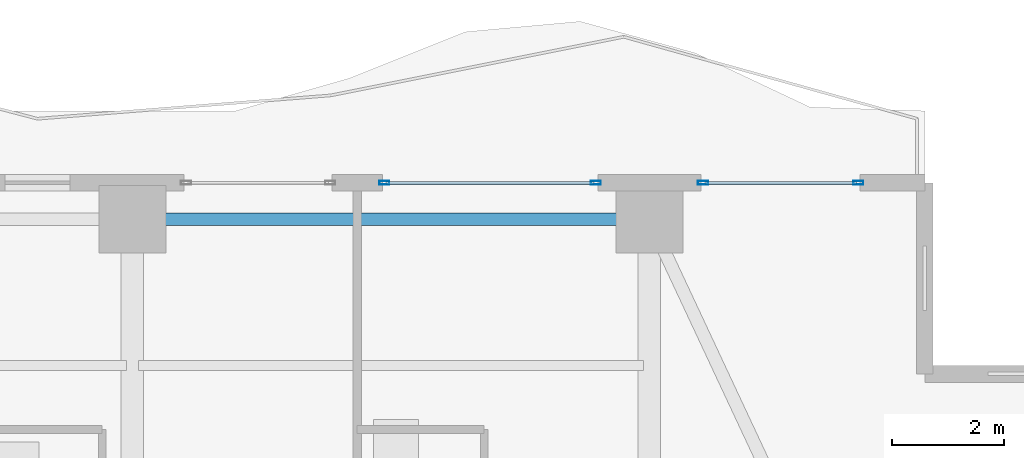
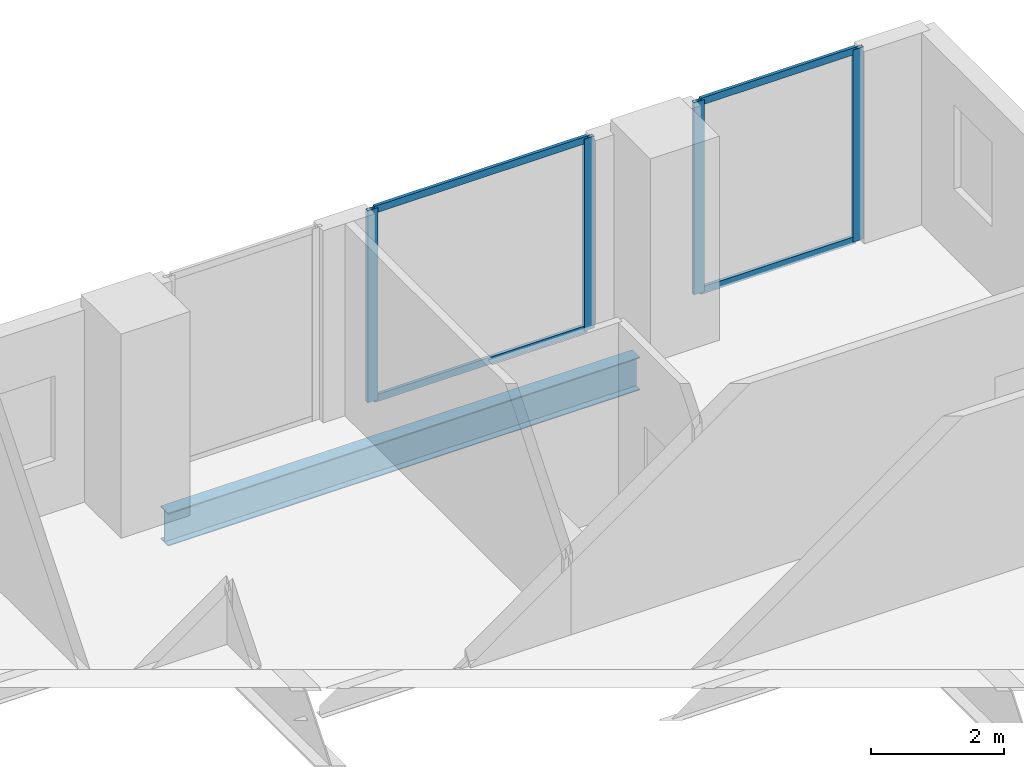
# One storey, part 22 of 32: 8 members, 1 beam, 2 elements without a shape of their own.
"""IFC4 building model written with IfcOpenShell, lengths in metres."""

import ifcopenshell
import ifcopenshell.guid

model = None  # the IFC model being written
_history = None  # IfcOwnerHistory: only IFC2X3 demands one
_inside = {}  # id of a spatial element -> (the spatial element, [elements in it])
_under = {}  # id of a project, library or spatial element -> (it, [spatial elements below it])
_declared = {}  # id of a project -> (the project, [libraries it declares])
_typed = {}  # id of a type object -> (the type object, [elements of that type])
_made_of = {}  # id of a material, layer set ... -> (it, [elements and type objects made of it])


def new_model(schema):
    """Start an empty IFC model of exactly this schema.

    Asked for "IFC4X3", IfcOpenShell would pick the latest addendum, in which some entities
    have other attributes; the version numbers below select the first issue.
    IFC2X3 requires an IfcOwnerHistory on every rooted entity: one is made here for all.
    """
    global model, _history
    if schema == "IFC4X3":
        model = ifcopenshell.file(schema_version=(4, 3, 0, 0))
    else:
        model = ifcopenshell.file(schema=schema)
    _inside.clear()
    _under.clear()
    _declared.clear()
    _typed.clear()
    _made_of.clear()
    _history = None
    if model.schema == "IFC2X3":
        org = make("IfcOrganization", Name="unknown")
        user = make(
            "IfcPersonAndOrganization",
            ThePerson=make("IfcPerson", FamilyName="unknown"),
            TheOrganization=org,
        )
        app = make(
            "IfcApplication",
            ApplicationDeveloper=org,
            Version="unknown",
            ApplicationFullName="unknown",
            ApplicationIdentifier="unknown",
        )
        _history = make(
            "IfcOwnerHistory",
            OwningUser=user,
            OwningApplication=app,
            ChangeAction="ADDED",
            CreationDate=0,
        )
    return model


def make(cls, **values):
    """One entity of the class cls with the attributes given. An attribute that is None is left unset."""
    return model.create_entity(
        cls, **{name: value for name, value in values.items() if value is not None}
    )


def rooted(cls, **values):
    """An entity with a GlobalId (a new one), such as an element, a storey or a relation."""
    return make(cls, GlobalId=ifcopenshell.guid.new(), OwnerHistory=_history, **values)


def si_unit(unit_type, name, prefix=None):
    """IfcSIUnit, for example si_unit("LENGTHUNIT", "METRE", prefix="MILLI")."""
    return make("IfcSIUnit", UnitType=unit_type, Prefix=prefix, Name=name)


def assignment(units):
    """IfcUnitAssignment: the units of a project."""
    return None if units is None else make("IfcUnitAssignment", Units=units)


def point(xyz):
    """IfcCartesianPoint."""
    return None if xyz is None else make("IfcCartesianPoint", Coordinates=xyz)


def direction(xyz):
    """IfcDirection."""
    return None if xyz is None else make("IfcDirection", DirectionRatios=xyz)


def frame(location, z_axis=None, x_axis=None):
    """IfcAxis2Placement3D, a coordinate frame: its origin and axes. An axis left out is left unset."""
    return make(
        "IfcAxis2Placement3D",
        Location=point(location),
        Axis=direction(z_axis),
        RefDirection=direction(x_axis),
    )


def frame_2d(location, x_axis=None):
    """IfcAxis2Placement2D, a coordinate frame in the plane: its origin and x axis."""
    return make(
        "IfcAxis2Placement2D", Location=point(location), RefDirection=direction(x_axis)
    )


def origin():
    """The frame at (0, 0, 0) with its axes left unset."""
    return frame((0.0, 0.0, 0.0))


def origin_2d():
    """The frame at (0, 0) in the plane with its x axis left unset."""
    return frame_2d((0.0, 0.0))


def place(relative_to, where):
    """IfcLocalPlacement: puts the frame where relative to a parent placement (None: the world)."""
    return make(
        "IfcLocalPlacement", PlacementRelTo=relative_to, RelativePlacement=where
    )


def context(
    kind, dimensions, precision=None, world=None, true_north=None, identifier=None
):
    """IfcGeometricRepresentationContext, for example the 3D "Model" context."""
    return make(
        "IfcGeometricRepresentationContext",
        ContextIdentifier=identifier,
        ContextType=kind,
        CoordinateSpaceDimension=dimensions,
        Precision=precision,
        WorldCoordinateSystem=world,
        TrueNorth=true_north,
    )


def subcontext(parent, identifier, kind, view, scale=None):
    """IfcGeometricRepresentationSubContext, for example "Body" below "Model"."""
    return make(
        "IfcGeometricRepresentationSubContext",
        ContextIdentifier=identifier,
        ContextType=kind,
        ParentContext=parent,
        TargetScale=scale,
        TargetView=view,
    )


def project(units=None, contexts=None):
    """IfcProject with its units and contexts."""
    return rooted(
        "IfcProject",
        Name="project",
        RepresentationContexts=contexts,
        UnitsInContext=assignment(units),
    )


def spatial(cls, under=None, at=None, **own):
    """A site, building, storey or space (cls), placed at a placement, below another one or the project."""
    s = rooted(cls, ObjectPlacement=at, **own)
    if under is not None:
        _under.setdefault(under.id(), (under, []))[1].append(s)
    return s


def profile(cls, at=None, kind="AREA", **sizes):
    """A parametric profile (cls). Its sizes go by their IFC names, for example OverallWidth=200.0."""
    return make(cls, ProfileType=kind, Position=at, **sizes)


def hollow_rectangle(**sizes):
    """IfcRectangleHollowProfileDef."""
    return profile("IfcRectangleHollowProfileDef", **sizes)


def i_section(**sizes):
    """IfcIShapeProfileDef."""
    return profile("IfcIShapeProfileDef", **sizes)


def extrude(swept, where, along, depth):
    """IfcExtrudedAreaSolid: the profile swept, set in the frame where, extruded along a direction by depth."""
    return make(
        "IfcExtrudedAreaSolid",
        SweptArea=swept,
        Position=where,
        ExtrudedDirection=direction(along),
        Depth=depth,
    )


def shape(context_of_items, identifier, shape_type, items):
    """IfcShapeRepresentation: the items that make up one representation, for example the "Body"."""
    return make(
        "IfcShapeRepresentation",
        ContextOfItems=context_of_items,
        RepresentationIdentifier=identifier,
        RepresentationType=shape_type,
        Items=items,
    )


def material(Name=None, Category=None):
    """IfcMaterial."""
    return make("IfcMaterial", Name=Name, Category=Category)


def layer(
    of_material, thickness, ventilated=None, Name=None, Category=None, Priority=None
):
    """IfcMaterialLayer: one layer of a wall or slab, of a material (None: an air gap)."""
    return make(
        "IfcMaterialLayer",
        Material=of_material,
        LayerThickness=thickness,
        IsVentilated=ventilated,
        Name=Name,
        Category=Category,
        Priority=Priority,
    )


def layer_set(layers, Name=None):
    """IfcMaterialLayerSet."""
    return make("IfcMaterialLayerSet", MaterialLayers=layers, LayerSetName=Name)


def material_profile(
    of_material, cross_section, Name=None, Category=None, Priority=None
):
    """IfcMaterialProfile: a cross section and its material."""
    return make(
        "IfcMaterialProfile",
        Name=Name,
        Material=of_material,
        Profile=cross_section,
        Priority=Priority,
        Category=Category,
    )


def profile_set(profiles, Name=None, composite=None):
    """IfcMaterialProfileSet."""
    return make(
        "IfcMaterialProfileSet",
        Name=Name,
        MaterialProfiles=profiles,
        CompositeProfile=composite,
    )


def made_of(thing, what):
    """Note that an element or type object is made of a material, layer set ...; save() writes the relation."""
    if what is not None:
        _made_of.setdefault(what.id(), (what, []))[1].append(thing)
    return thing


def type_object(cls, material=None, **own):
    """A type object (cls), such as IfcWallType, which elements share."""
    return made_of(rooted(cls, **own), material)


def element(
    cls,
    number,
    at=None,
    inside=None,
    cuts=None,
    type_object=None,
    material=None,
    context=None,
    identifier="Body",
    shape_type=None,
    held_by="IfcProductDefinitionShape",
    body=None,
    shapes=None,
    **own,
):
    """One element of the class cls, such as IfcWall. Its Tag is "e" and its number.

    at: its placement. inside: the storey or other place that contains it. cuts: it is an
    opening in that element (IfcRelVoidsElement). A single representation is given by context,
    identifier, shape_type and body (its items); several are given by shapes. held_by: the class
    of the entity that holds the representations. save() writes the other relations.
    """
    e = rooted(cls, Tag="e%d" % number, ObjectPlacement=at, **own)
    if body is not None:
        shapes = [shape(context, identifier, shape_type, body)]
    if shapes is not None:
        e.Representation = make(held_by, Representations=shapes)
    if inside is not None:
        _inside.setdefault(inside.id(), (inside, []))[1].append(e)
    if cuts is not None:
        rooted(
            "IfcRelVoidsElement", RelatingBuildingElement=cuts, RelatedOpeningElement=e
        )
    if type_object is not None:
        _typed.setdefault(type_object.id(), (type_object, []))[1].append(e)
    return made_of(e, material)


def aggregate(whole, parts):
    """IfcRelAggregates: a whole, such as a stair, and the parts it consists of."""
    return rooted("IfcRelAggregates", RelatingObject=whole, RelatedObjects=parts)


def save(model, path):
    """Write the relations noted so far, then the file.

    IfcRelAggregates (storeys below a building ...), IfcRelContainedInSpatialStructure (elements
    in a storey), IfcRelDefinesByType, IfcRelAssociatesMaterial and IfcRelDeclares: one each for
    every whole, place, type object, material and project.
    """
    for whole, parts in _under.values():
        aggregate(whole, parts)
    for where, things in _inside.values():
        rooted(
            "IfcRelContainedInSpatialStructure",
            RelatedElements=things,
            RelatingStructure=where,
        )
    for kind, things in _typed.values():
        rooted("IfcRelDefinesByType", RelatedObjects=things, RelatingType=kind)
    for what, things in _made_of.values():
        rooted("IfcRelAssociatesMaterial", RelatedObjects=things, RelatingMaterial=what)
    for by, libraries in _declared.values():
        rooted("IfcRelDeclares", RelatingContext=by, RelatedDefinitions=libraries)
    model.write(path)


model = new_model("IFC4")

# Units and contexts
model_context = context("Model", 3, precision=1e-05, world=origin(), true_north=direction((0.0, 1.0)))
body_context = subcontext(model_context, "Body", "Model", "MODEL_VIEW")
ifc_project = project(units=[si_unit("LENGTHUNIT", "METRE"), si_unit("AREAUNIT", "SQUARE_METRE"), si_unit("VOLUMEUNIT", "CUBIC_METRE"), si_unit("PLANEANGLEUNIT", "RADIAN"), si_unit("MASSUNIT", "GRAM", prefix="KILO")], contexts=[model_context])

# Site, building, storey
site_placement = place(None, origin())
site = spatial("IfcSite", under=ifc_project, at=site_placement, CompositionType="ELEMENT")
building_placement = place(site_placement, origin())
building = spatial("IfcBuilding", under=site, at=building_placement, Name="Zuhayl Quay Hotel", CompositionType="ELEMENT")
storey_placement = place(building_placement, frame((0.0, 0.0, 184.89990234375)))
storey = spatial("IfcBuildingStorey", under=building, at=storey_placement, Name="L46", CompositionType="ELEMENT", Elevation=184.89990234375)

# Beam
ifc_material_1 = material(Name="Steel ASTM A992 Grade 50", Category="steel")
ifc_material_profile_1 = material_profile(ifc_material_1, i_section(OverallWidth=0.22802734375, OverallDepth=0.60693359375, WebThickness=0.01123046875, FlangeThickness=0.017333984375, at=origin_2d()), Name="W24X76")
ifc_profile_set_1 = profile_set([ifc_material_profile_1], Name="Steel ASTM A992 Grade 50")
beam_type = type_object("IfcBeamType", Name="BM_B3_W24X76", PredefinedType="BEAM", material=ifc_profile_set_1)
beam_placement = place(storey_placement, frame((13.300048828125, 32.949951171875, -0.5234375), z_axis=(-1.0, 0.0, 0.0), x_axis=(0.0, -1.0, 0.0)))
element("IfcBeam", 1, at=beam_placement, inside=storey, type_object=beam_type, Name="L46 Floor Beam RG_L46_07", PredefinedType="BEAM", context=body_context, shape_type="SweptSolid", body=[
    extrude(i_section(OverallWidth=0.22802734375, OverallDepth=0.60693359375, WebThickness=0.01123046875, FlangeThickness=0.017333984375, at=origin_2d()), origin(), (0.0, 0.0, 1.0), 8.199951171875),
])

# Curtain wall, members
ifc_material_2 = material(Name="Anodised Aluminium 6063-T6", Category="aluminium")
ifc_layer = layer(ifc_material_2, 0.175048828125, Name="Anodised Aluminium 6063-T6", Category="aluminium")
ifc_layer_set = layer_set([ifc_layer], Name="Anodised Aluminium 6063-T6")
curtain_wall_type = type_object("IfcCurtainWallType", Name="CW_SYS_Z3", PredefinedType="USERDEFINED", material=ifc_layer_set)
curtain_wall_1_placement = place(storey_placement, origin())
curtain_wall_1 = element("IfcCurtainWall", 2, at=curtain_wall_1_placement, inside=storey, type_object=curtain_wall_type, Name="L46 Curtain Wall ENV_L46_N_CW4", ObjectType="UNITISED CURTAIN WALL", PredefinedType="USERDEFINED")
ifc_material_3 = material(Name="Black-anodised aluminium 6063-T6", Category="aluminium")
ifc_material_profile_2 = material_profile(ifc_material_3, hollow_rectangle(XDim=0.06494140625, YDim=0.179931640625, WallThickness=0.00341796875, at=origin_2d()), Name="ALU180X65")
ifc_profile_set_2 = profile_set([ifc_material_profile_2], Name="Black-anodised aluminium 6063-T6")
member_type_1 = type_object("IfcMemberType", Name="MB_CW_MUL_180", PredefinedType="MULLION", material=ifc_profile_set_2)
member_1_placement = place(storey_placement, frame((9.08251953125, 33.60009765625, 0.0), z_axis=(0.0, 0.0, 1.0), x_axis=(0.0, 1.0, 0.0)))
member_1 = element("IfcMember", 3, at=member_1_placement, type_object=member_type_1, Name="CW-Z3 mullion 1", PredefinedType="MULLION", context=body_context, shape_type="SweptSolid", body=[
    extrude(hollow_rectangle(XDim=0.06494140625, YDim=0.179931640625, WallThickness=0.00341796875, at=origin_2d()), origin(), (0.0, 0.0, 1.0), 3.530029296875),
])
member_2_placement = place(storey_placement, frame((12.847412109375, 33.60009765625, 0.0), z_axis=(0.0, 0.0, 1.0), x_axis=(0.0, 1.0, 0.0)))
member_2 = element("IfcMember", 4, at=member_2_placement, type_object=member_type_1, Name="CW-Z3 mullion 2", PredefinedType="MULLION", context=body_context, shape_type="SweptSolid", body=[
    extrude(hollow_rectangle(XDim=0.06494140625, YDim=0.179931640625, WallThickness=0.00341796875, at=origin_2d()), origin(), (0.0, 0.0, 1.0), 3.530029296875),
])

curtain_wall_2_placement = place(storey_placement, origin())
curtain_wall_2 = element("IfcCurtainWall", 5, at=curtain_wall_2_placement, inside=storey, type_object=curtain_wall_type, Name="L46 Curtain Wall ENV_L46_N_CW5", ObjectType="UNITISED CURTAIN WALL", PredefinedType="USERDEFINED")
member_3_placement = place(storey_placement, frame((14.75244140625, 33.60009765625, 0.0), z_axis=(0.0, 0.0, 1.0), x_axis=(0.0, 1.0, 0.0)))
member_3 = element("IfcMember", 6, at=member_3_placement, type_object=member_type_1, Name="CW-Z3 mullion 1", PredefinedType="MULLION", context=body_context, shape_type="SweptSolid", body=[
    extrude(hollow_rectangle(XDim=0.06494140625, YDim=0.179931640625, WallThickness=0.00341796875, at=origin_2d()), origin(), (0.0, 0.0, 1.0), 3.530029296875),
])
member_4_placement = place(storey_placement, frame((17.517578125, 33.60009765625, 0.0), z_axis=(0.0, 0.0, 1.0), x_axis=(0.0, 1.0, 0.0)))
member_4 = element("IfcMember", 7, at=member_4_placement, type_object=member_type_1, Name="CW-Z3 mullion 2", PredefinedType="MULLION", context=body_context, shape_type="SweptSolid", body=[
    extrude(hollow_rectangle(XDim=0.06494140625, YDim=0.179931640625, WallThickness=0.00341796875, at=origin_2d()), origin(), (0.0, 0.0, 1.0), 3.530029296875),
])

# Member
ifc_material_profile_3 = material_profile(ifc_material_3, hollow_rectangle(XDim=0.054931640625, YDim=0.1298828125, WallThickness=0.0029296875, at=origin_2d()), Name="ALU130X55")
ifc_profile_set_3 = profile_set([ifc_material_profile_3], Name="Black-anodised aluminium 6063-T6")
member_type_2 = type_object("IfcMemberType", Name="MB_CW_TRN_130", PredefinedType="USERDEFINED", material=ifc_profile_set_3)
member_5_placement = place(storey_placement, frame((9.114990234375, 33.60009765625, 0.027587890625), z_axis=(1.0, 0.0, 0.0), x_axis=(0.0, 1.0, 0.0)))
member_5 = element("IfcMember", 8, at=member_5_placement, type_object=member_type_2, Name="CW-Z3 transom 1.1", ObjectType="TRANSOM", PredefinedType="USERDEFINED", context=body_context, shape_type="SweptSolid", body=[
    extrude(hollow_rectangle(XDim=0.054931640625, YDim=0.1298828125, WallThickness=0.0029296875, at=origin_2d()), origin(), (0.0, 0.0, 1.0), 3.699951171875),
])

member_6_placement = place(storey_placement, frame((9.114990234375, 33.60009765625, 3.502685546875), z_axis=(1.0, 0.0, 0.0), x_axis=(0.0, 1.0, 0.0)))
member_6 = element("IfcMember", 9, at=member_6_placement, type_object=member_type_2, Name="CW-Z3 transom 1.2", ObjectType="TRANSOM", PredefinedType="USERDEFINED", context=body_context, shape_type="SweptSolid", body=[
    extrude(hollow_rectangle(XDim=0.054931640625, YDim=0.1298828125, WallThickness=0.0029296875, at=origin_2d()), origin(), (0.0, 0.0, 1.0), 3.699951171875),
])

aggregate(curtain_wall_1, [member_1, member_2, member_5, member_6])

member_7_placement = place(storey_placement, frame((14.784912109375, 33.60009765625, 0.027587890625), z_axis=(1.0, 0.0, 0.0), x_axis=(0.0, 1.0, 0.0)))
member_7 = element("IfcMember", 10, at=member_7_placement, type_object=member_type_2, Name="CW-Z3 transom 1.1", ObjectType="TRANSOM", PredefinedType="USERDEFINED", context=body_context, shape_type="SweptSolid", body=[
    extrude(hollow_rectangle(XDim=0.054931640625, YDim=0.1298828125, WallThickness=0.0029296875, at=origin_2d()), origin(), (0.0, 0.0, 1.0), 2.7001953125),
])

member_8_placement = place(storey_placement, frame((14.784912109375, 33.60009765625, 3.502685546875), z_axis=(1.0, 0.0, 0.0), x_axis=(0.0, 1.0, 0.0)))
member_8 = element("IfcMember", 11, at=member_8_placement, type_object=member_type_2, Name="CW-Z3 transom 1.2", ObjectType="TRANSOM", PredefinedType="USERDEFINED", context=body_context, shape_type="SweptSolid", body=[
    extrude(hollow_rectangle(XDim=0.054931640625, YDim=0.1298828125, WallThickness=0.0029296875, at=origin_2d()), origin(), (0.0, 0.0, 1.0), 2.7001953125),
])

aggregate(curtain_wall_2, [member_3, member_4, member_7, member_8])

save(model, "model.ifc")
